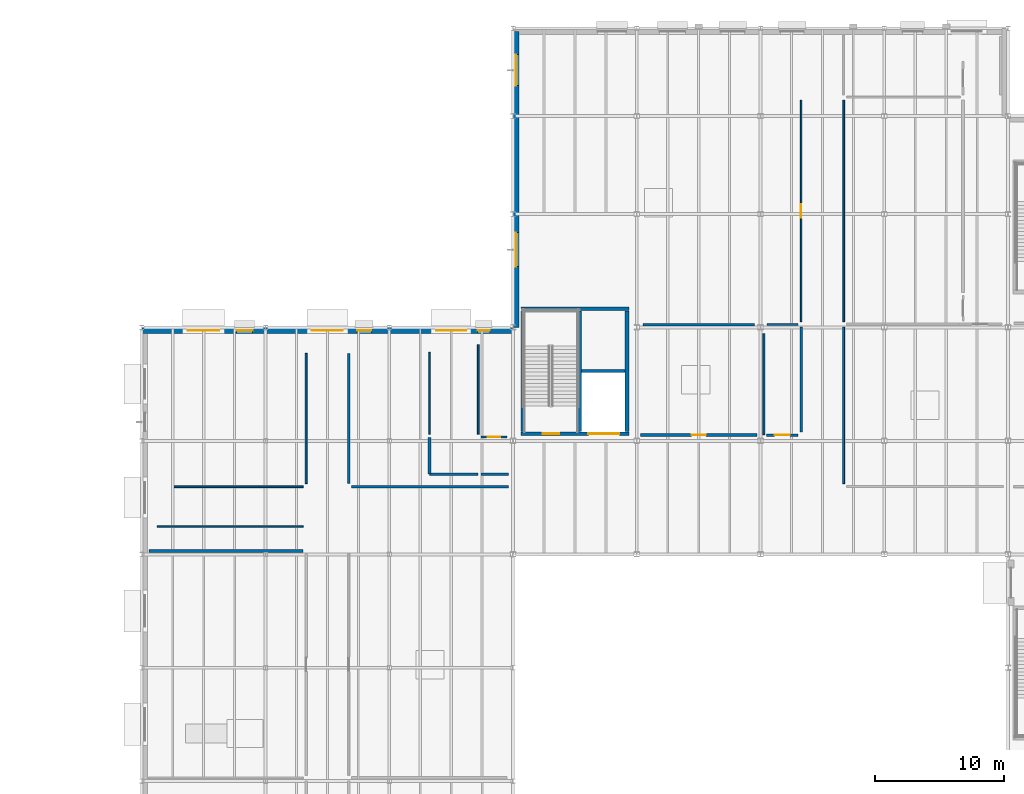
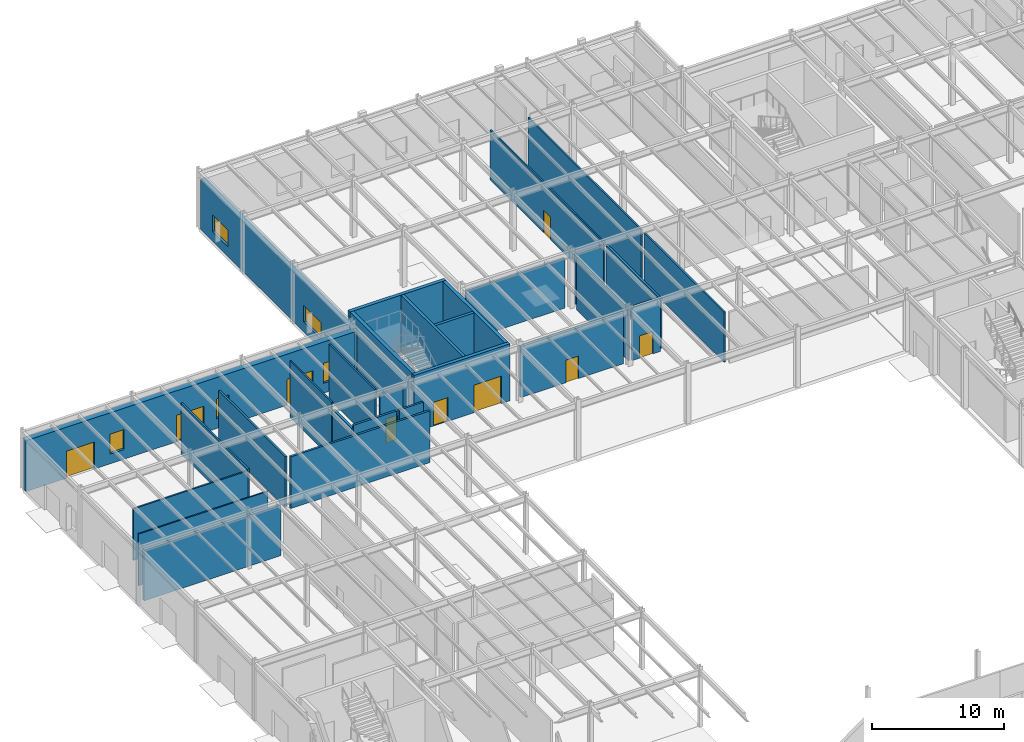
# One storey, part 49 of 70: 29 walls, 9 doors, 5 windows, 14 openings.
"""IFC4 building model written with IfcOpenShell, lengths in metres."""

from ifc_helpers import new_model, si_unit, direction, frame, frame_2d, origin, place, context, subcontext, project, spatial, rectangle, extrude, material, layer, layer_set, type_object, element, fill, save


model = new_model("IFC4")

# Units and contexts
model_context = context("Model", 3, precision=1e-05, world=origin(), true_north=direction((0.0, 1.0)))
body_context = subcontext(model_context, "Body", "Model", "MODEL_VIEW")
ifc_project = project(units=[si_unit("LENGTHUNIT", "METRE"), si_unit("AREAUNIT", "SQUARE_METRE"), si_unit("VOLUMEUNIT", "CUBIC_METRE"), si_unit("PLANEANGLEUNIT", "RADIAN"), si_unit("MASSUNIT", "GRAM", prefix="KILO")], contexts=[model_context])

# Site, building, storey
site_placement = place(None, origin())
site = spatial("IfcSite", under=ifc_project, at=site_placement, CompositionType="ELEMENT")
building_placement = place(site_placement, origin())
building = spatial("IfcBuilding", under=site, at=building_placement, Name="Sarnbrook Museum", CompositionType="ELEMENT")
storey_placement = place(building_placement, origin())
storey = spatial("IfcBuildingStorey", under=building, at=storey_placement, Name="L00", CompositionType="ELEMENT", Elevation=0.0)

# Wall, openings, doors
ifc_material_1 = material(Name="Concrete N50 (AS 3600, f'c = 50 MPa)", Category="concrete")
ifc_layer_1 = layer(ifc_material_1, 0.300048828125)
ifc_layer_set_1 = layer_set([ifc_layer_1], Name="Concrete N50 (AS 3600, f'c = 50 MPa)")
wall_type_1 = type_object("IfcWallType", Name="CoreWall_CWRC", PredefinedType="SHEAR", material=ifc_layer_set_1)
wall_1_placement = place(storey_placement, frame((43.0, 83.75, 0.0), z_axis=(0.0, 0.0, 1.0), x_axis=(1.0, 0.0, 0.0)))
wall_1 = element("IfcWall", 1, at=wall_1_placement, inside=storey, type_object=wall_type_1, Name="Core C6 Shear Wall S L00", PredefinedType="SHEAR", context=body_context, shape_type="SweptSolid", body=[
    extrude(rectangle(XDim=8.39990234375, YDim=0.300048828125, at=frame_2d((4.199951171875, 0.0))), origin(), (0.0, 0.0, 1.0), 5.27490234375),
])
opening_1_placement = place(wall_1_placement, frame((1.715087890625, 0.0, 0.0)))
opening_1 = element("IfcOpeningElement", 2, at=opening_1_placement, cuts=wall_1, Name="Opening D-ST-ST6-L00", PredefinedType="OPENING", context=body_context, shape_type="SweptSolid", body=[
    extrude(rectangle(XDim=1.25, YDim=2.199951171875, at=frame_2d((0.625, 1.10009765625))), frame((0.0, 0.16015625, 0.0), z_axis=(0.0, -1.0, 0.0), x_axis=(1.0, 0.0, 0.0)), (0.0, 0.0, 1.0), 0.320068359375),
])
opening_2_placement = place(wall_1_placement, frame((5.25, 0.0, 0.0)))
opening_2 = element("IfcOpeningElement", 3, at=opening_2_placement, cuts=wall_1, Name="Opening LD-GL2-L00", PredefinedType="OPENING", context=body_context, shape_type="SweptSolid", body=[
    extrude(rectangle(XDim=2.39990234375, YDim=2.550048828125, at=frame_2d((1.199951171875, 1.27490234375))), frame((0.0, 0.16015625, 0.0), z_axis=(0.0, -1.0, 0.0), x_axis=(1.0, 0.0, 0.0)), (0.0, 0.0, 1.0), 0.320068359375),
])
ifc_material_2 = material(Name="Tasmanian Oak Acoustic Timber", Category="wood")
door_type_1 = type_object("IfcDoorType", Name="FireDoor_FD120", OperationType="NOTDEFINED", PredefinedType="DOOR", material=ifc_material_2)
door_1_placement = place(opening_1_placement, frame((1.25, 0.0, 0.0), z_axis=(0.0, 0.0, 1.0), x_axis=(-1.0, 0.0, 0.0)))
door_1 = element("IfcDoor", 4, at=door_1_placement, inside=storey, type_object=door_type_1, Name="Exit Stair ST6 Fire Door L00", OperationType="SINGLE_SWING_RIGHT", OverallHeight=2.199951171875, OverallWidth=1.25, PredefinedType="DOOR", context=body_context, shape_type="SweptSolid", body=[
    extrude(rectangle(XDim=1.25, YDim=2.199951171875, at=frame_2d((0.625, 1.10009765625))), frame((0.0, 0.02490234375, 0.0), z_axis=(0.0, -1.0, 0.0), x_axis=(1.0, 0.0, 0.0)), (0.0, 0.0, 1.0), 0.050048828125),
])
fill(opening_1, door_1)
ifc_material_3 = material(Name="Brushed Stainless Steel Grade 316", Category="steel")
door_type_2 = type_object("IfcDoorType", Name="LiftDoor_Goods240", OperationType="DOUBLE_DOOR_SLIDING", PredefinedType="DOOR", material=ifc_material_3)
door_2_placement = place(opening_2_placement, origin())
door_2 = element("IfcDoor", 5, at=door_2_placement, inside=storey, type_object=door_type_2, Name="Lift Landing Sliding Door LD-GL2-L00", OperationType="DOUBLE_DOOR_SLIDING", OverallHeight=2.550048828125, OverallWidth=2.39990234375, PredefinedType="DOOR", context=body_context, shape_type="SweptSolid", body=[
    extrude(rectangle(XDim=2.39990234375, YDim=2.550048828125, at=frame_2d((1.199951171875, 1.27490234375))), frame((0.0, 0.02490234375, 0.0), z_axis=(0.0, -1.0, 0.0), x_axis=(1.0, 0.0, 0.0)), (0.0, 0.0, 1.0), 0.050048828125),
])
fill(opening_2, door_2)

# Walls
wall_2_placement = place(storey_placement, frame((51.39990234375, 93.449951171875, 0.0), z_axis=(0.0, 0.0, 1.0), x_axis=(-1.0, 0.0, 0.0)))
element("IfcWall", 6, at=wall_2_placement, inside=storey, type_object=wall_type_1, Name="Core C6 Shear Wall N L00", PredefinedType="SHEAR", context=body_context, shape_type="SweptSolid", body=[
    extrude(rectangle(XDim=8.39990234375, YDim=0.300048828125, at=frame_2d((4.199951171875, 0.0))), origin(), (0.0, 0.0, 1.0), 5.27490234375),
])
for number, where, z_axis, x_axis, name in (
    (7, (51.25, 83.909912109375, 0.0), (0.0, 0.0, 1.0), (0.0, 1.0, 0.0), "Core C6 Shear Wall E L00"),
    (8, (43.14990234375, 93.2900390625, 0.0), (0.0, 0.0, 1.0), (0.0, -1.0, 0.0), "Core C6 Shear Wall W L00"),
):
    element("IfcWall", number, at=place(storey_placement, frame(where, z_axis=z_axis, x_axis=x_axis)), inside=storey, type_object=wall_type_1, Name=name, PredefinedType="SHEAR", context=body_context, shape_type="SweptSolid", body=[
        extrude(rectangle(XDim=9.380126953125, YDim=0.300048828125, at=frame_2d((4.68994140625, 0.0))), origin(), (0.0, 0.0, 1.0), 5.27490234375),
    ])
ifc_material_4 = material(Name="Fire-Rated Acoustic Gypsum Plasterboard")
ifc_layer_2 = layer(ifc_material_4, 0.1201171875)
ifc_layer_set_2 = layer_set([ifc_layer_2], Name="Fire-Rated Acoustic Gypsum Plasterboard")
wall_type_2 = type_object("IfcWallType", Name="PartWall_P120", PredefinedType="PARTITIONING", material=ifc_layer_set_2)
wall_3_placement = place(storey_placement, frame((35.909912109375, 90.068115234375, 0.0), z_axis=(0.0, 0.0, 1.0), x_axis=(0.0, -1.0, 0.0)))
element("IfcWall", 9, at=wall_3_placement, inside=storey, type_object=wall_type_2, Name="Interior Partition Wall L00-0160", PredefinedType="PARTITIONING", context=body_context, shape_type="SweptSolid", body=[
    extrude(rectangle(XDim=6.34814453125, YDim=0.1201171875, at=frame_2d((3.174072265625, 0.0))), origin(), (0.0, 0.0, 1.0), 5.22998046875),
])
wall_4_placement = place(storey_placement, frame((14.787841796875, 76.550048828125, 0.0), z_axis=(0.0, 0.0, 1.0), x_axis=(1.0, 0.0, 0.0)))
element("IfcWall", 10, at=wall_4_placement, inside=storey, type_object=wall_type_2, Name="Interior Partition Wall L00-0251", PredefinedType="PARTITIONING", context=body_context, shape_type="SweptSolid", body=[
    extrude(rectangle(XDim=11.332275390625, YDim=0.1201171875, at=frame_2d((5.666015625, 0.0))), origin(), (0.0, 0.0, 1.0), 4.787109375),
])

# Wall, opening, door
wall_5_placement = place(storey_placement, frame((64.75, 109.6298828125, 0.0), z_axis=(0.0, 0.0, 1.0), x_axis=(0.0, -1.0, 0.0)))
wall_5 = element("IfcWall", 11, at=wall_5_placement, inside=storey, type_object=wall_type_2, Name="Interior Partition Wall L00-0258", PredefinedType="PARTITIONING", context=body_context, shape_type="SweptSolid", body=[
    extrude(rectangle(XDim=17.179931640625, YDim=0.1201171875, at=frame_2d((8.58984375, 0.0))), origin(), (0.0, 0.0, 1.0), 4.637939453125),
])
opening_3_placement = place(wall_5_placement, frame((8.070068359375, 0.0, 0.0)))
opening_3 = element("IfcOpeningElement", 12, at=opening_3_placement, cuts=wall_5, Name="Opening D-L00-080", PredefinedType="OPENING", context=body_context, shape_type="SweptSolid", body=[
    extrude(rectangle(XDim=1.0400390625, YDim=2.080078125, at=frame_2d((0.52001953125, 1.0400390625))), frame((0.0, 0.070068359375, 0.0), z_axis=(0.0, -1.0, 0.0), x_axis=(1.0, 0.0, 0.0)), (0.0, 0.0, 1.0), 0.14013671875),
])
door_type_3 = type_object("IfcDoorType", Name="IntDoor_DT04", OperationType="NOTDEFINED", PredefinedType="DOOR", material=ifc_material_2)
door_3_placement = place(opening_3_placement, origin())
door_3 = element("IfcDoor", 13, at=door_3_placement, inside=storey, type_object=door_type_3, Name="Earth & Tectonics Gallery L00-29 Door D-L00-080", OperationType="SINGLE_SWING_RIGHT", OverallHeight=2.080078125, OverallWidth=1.0400390625, PredefinedType="DOOR", context=body_context, shape_type="SweptSolid", body=[
    extrude(rectangle(XDim=1.0400390625, YDim=2.080078125, at=frame_2d((0.52001953125, 1.0400390625))), frame((0.0, 0.02490234375, 0.0), z_axis=(0.0, -1.0, 0.0), x_axis=(1.0, 0.0, 0.0)), (0.0, 0.0, 1.0), 0.050048828125),
])
fill(opening_3, door_3)

# Walls
ifc_layer_3 = layer(ifc_material_4, 0.135009765625)
ifc_layer_set_3 = layer_set([ifc_layer_3], Name="Fire-Rated Acoustic Gypsum Plasterboard")
wall_type_3 = type_object("IfcWallType", Name="PartWall_P135", PredefinedType="PARTITIONING", material=ifc_layer_set_3)
wall_6_placement = place(storey_placement, frame((39.68994140625, 83.719970703125, 0.0), z_axis=(0.0, 0.0, 1.0), x_axis=(0.0, 1.0, 0.0)))
element("IfcWall", 14, at=wall_6_placement, inside=storey, type_object=wall_type_3, Name="Interior Partition Wall L00-0159", PredefinedType="PARTITIONING", context=body_context, shape_type="SweptSolid", body=[
    extrude(rectangle(XDim=6.94091796875, YDim=0.135009765625, at=frame_2d((3.470458984375, 0.0))), origin(), (0.0, 0.0, 1.0), 5.06396484375),
])
wall_7_placement = place(storey_placement, frame((26.1201171875, 79.64990234375, 0.0), z_axis=(0.0, 0.0, 1.0), x_axis=(-1.0, 0.0, 0.0)))
element("IfcWall", 15, at=wall_7_placement, inside=storey, type_object=wall_type_3, Name="Interior Partition Wall L00-0250", PredefinedType="PARTITIONING", context=body_context, shape_type="SweptSolid", body=[
    extrude(rectangle(XDim=10.00927734375, YDim=0.135009765625, at=frame_2d((5.004638671875, 0.0))), origin(), (0.0, 0.0, 1.0), 4.787109375),
])
wall_8_placement = place(storey_placement, frame((68.050048828125, 92.449951171875, 0.0), z_axis=(0.0, 0.0, 1.0), x_axis=(0.0, 1.0, 0.0)))
element("IfcWall", 16, at=wall_8_placement, inside=storey, type_object=wall_type_3, Name="Interior Partition Wall L00-0264", PredefinedType="PARTITIONING", context=body_context, shape_type="SweptSolid", body=[
    extrude(rectangle(XDim=17.179931640625, YDim=0.135009765625, at=frame_2d((8.58984375, 0.0))), origin(), (0.0, 0.0, 1.0), 4.637939453125),
])

# Wall, opening, door
ifc_layer_4 = layer(ifc_material_4, 0.14990234375)
ifc_layer_set_4 = layer_set([ifc_layer_4], Name="Fire-Rated Acoustic Gypsum Plasterboard")
wall_type_4 = type_object("IfcWallType", Name="PartWall_P150", PredefinedType="PARTITIONING", material=ifc_layer_set_4)
wall_9_placement = place(storey_placement, frame((41.919921875, 83.489990234375, 0.0), z_axis=(0.0, 0.0, 1.0), x_axis=(-1.0, 0.0, 0.0)))
wall_9 = element("IfcWall", 17, at=wall_9_placement, inside=storey, type_object=wall_type_4, Name="Interior Partition Wall L00-0158", PredefinedType="PARTITIONING", context=body_context, shape_type="SweptSolid", body=[
    extrude(rectangle(XDim=2.0, YDim=0.14990234375, at=frame_2d((1.0, 0.0))), origin(), (0.0, 0.0, 1.0), 4.7080078125),
])
opening_4_placement = place(wall_9_placement, frame((0.52001953125, 0.0, 0.0)))
opening_4 = element("IfcOpeningElement", 18, at=opening_4_placement, cuts=wall_9, Name="Opening D-L00-052", PredefinedType="OPENING", context=body_context, shape_type="SweptSolid", body=[
    extrude(rectangle(XDim=0.9599609375, YDim=2.239990234375, at=frame_2d((0.47998046875, 1.1201171875))), frame((0.0, 0.0849609375, 0.0), z_axis=(0.0, -1.0, 0.0), x_axis=(1.0, 0.0, 0.0)), (0.0, 0.0, 1.0), 0.169921875),
])
door_type_4 = type_object("IfcDoorType", Name="IntDoor_DT14", OperationType="NOTDEFINED", PredefinedType="DOOR", material=ifc_material_2)
door_4_placement = place(opening_4_placement, frame((0.9599609375, 0.0, 0.0), z_axis=(0.0, 0.0, 1.0), x_axis=(-1.0, 0.0, 0.0)))
door_4 = element("IfcDoor", 19, at=door_4_placement, inside=storey, type_object=door_type_4, Name="Cloakroom & Visitor Services L00-26 Door D-L00-052", OperationType="SINGLE_SWING_RIGHT", OverallHeight=2.239990234375, OverallWidth=0.9599609375, PredefinedType="DOOR", context=body_context, shape_type="SweptSolid", body=[
    extrude(rectangle(XDim=0.9599609375, YDim=2.239990234375, at=frame_2d((0.47998046875, 1.1201171875))), frame((0.0, 0.02490234375, 0.0), z_axis=(0.0, -1.0, 0.0), x_axis=(1.0, 0.0, 0.0)), (0.0, 0.0, 1.0), 0.050048828125),
])
fill(opening_4, door_4)

# Walls
wall_10_placement = place(storey_placement, frame((26.35009765625, 89.982421875, 0.0), z_axis=(0.0, 0.0, 1.0), x_axis=(0.0, -1.0, 0.0)))
element("IfcWall", 20, at=wall_10_placement, inside=storey, type_object=wall_type_4, Name="Interior Partition Wall L00-0249", PredefinedType="PARTITIONING", context=body_context, shape_type="SweptSolid", body=[
    extrude(rectangle(XDim=10.1025390625, YDim=0.14990234375, at=frame_2d((5.05126953125, 0.0))), origin(), (0.0, 0.0, 1.0), 4.7080078125),
])
wall_11_placement = place(storey_placement, frame((68.050048828125, 79.8798828125, 0.0), z_axis=(0.0, 0.0, 1.0), x_axis=(0.0, 1.0, 0.0)))
element("IfcWall", 21, at=wall_11_placement, inside=storey, type_object=wall_type_4, Name="Interior Partition Wall L00-0263", PredefinedType="PARTITIONING", context=body_context, shape_type="SweptSolid", body=[
    extrude(rectangle(XDim=12.150146484375, YDim=0.14990234375, at=frame_2d((6.0751953125, 0.0))), origin(), (0.0, 0.0, 1.0), 4.637939453125),
])
wall_12_placement = place(storey_placement, frame((61.860107421875, 91.52001953125, 0.0), z_axis=(0.0, 0.0, 1.0), x_axis=(0.0, -1.0, 0.0)))
element("IfcWall", 22, at=wall_12_placement, inside=storey, type_object=wall_type_4, Name="Interior Partition Wall L00-0291", PredefinedType="PARTITIONING", context=body_context, shape_type="SweptSolid", body=[
    extrude(rectangle(XDim=7.840087890625, YDim=0.14990234375, at=frame_2d((3.919921875, 0.0))), origin(), (0.0, 0.0, 1.0), 4.717041015625),
])
ifc_layer_5 = layer(ifc_material_4, 0.1650390625)
ifc_layer_set_5 = layer_set([ifc_layer_5], Name="Fire-Rated Acoustic Gypsum Plasterboard")
wall_type_5 = type_object("IfcWallType", Name="PartWall_P165", PredefinedType="PARTITIONING", material=ifc_layer_set_5)
wall_13_placement = place(storey_placement, frame((29.64990234375, 79.8798828125, 0.0), z_axis=(0.0, 0.0, 1.0), x_axis=(0.0, 1.0, 0.0)))
element("IfcWall", 23, at=wall_13_placement, inside=storey, type_object=wall_type_5, Name="Interior Partition Wall L00-0248", PredefinedType="PARTITIONING", context=body_context, shape_type="SweptSolid", body=[
    extrude(rectangle(XDim=10.1025390625, YDim=0.1650390625, at=frame_2d((5.05126953125, 0.0))), origin(), (0.0, 0.0, 1.0), 4.7080078125),
])
wall_14_placement = place(storey_placement, frame((64.52001953125, 92.219970703125, 0.0), z_axis=(0.0, 0.0, 1.0), x_axis=(-1.0, 0.0, 0.0)))
element("IfcWall", 24, at=wall_14_placement, inside=storey, type_object=wall_type_5, Name="Interior Partition Wall L00-0290", PredefinedType="PARTITIONING", context=body_context, shape_type="SweptSolid", body=[
    extrude(rectangle(XDim=2.43994140625, YDim=0.1650390625, at=frame_2d((1.219970703125, 0.0))), origin(), (0.0, 0.0, 1.0), 4.637939453125),
])
ifc_layer_6 = layer(ifc_material_4, 0.179931640625)
ifc_layer_set_6 = layer_set([ifc_layer_6], Name="Fire-Rated Acoustic Gypsum Plasterboard")
wall_type_6 = type_object("IfcWallType", Name="PartWall_P180", PredefinedType="PARTITIONING", material=ifc_layer_set_6)
wall_15_placement = place(storey_placement, frame((39.919921875, 80.610107421875, 0.0), z_axis=(0.0, 0.0, 1.0), x_axis=(1.0, 0.0, 0.0)))
element("IfcWall", 25, at=wall_15_placement, inside=storey, type_object=wall_type_6, Name="Interior Partition Wall L00-0163", PredefinedType="PARTITIONING", context=body_context, shape_type="SweptSolid", body=[
    extrude(rectangle(XDim=2.1201171875, YDim=0.179931640625, at=frame_2d((1.06005859375, 0.0))), origin(), (0.0, 0.0, 1.0), 5.01611328125),
])
wall_16_placement = place(storey_placement, frame((42.0400390625, 79.64990234375, 0.0), z_axis=(0.0, 0.0, 1.0), x_axis=(-1.0, 0.0, 0.0)))
element("IfcWall", 26, at=wall_16_placement, inside=storey, type_object=wall_type_6, Name="Interior Partition Wall L00-0247", PredefinedType="PARTITIONING", context=body_context, shape_type="SweptSolid", body=[
    extrude(rectangle(XDim=12.16015625, YDim=0.179931640625, at=frame_2d((6.080078125, 0.0))), origin(), (0.0, 0.0, 1.0), 4.787109375),
])
wall_17_placement = place(storey_placement, frame((64.75, 92.030029296875, 0.0), z_axis=(0.0, 0.0, 1.0), x_axis=(0.0, -1.0, 0.0)))
element("IfcWall", 27, at=wall_17_placement, inside=storey, type_object=wall_type_6, Name="Interior Partition Wall L00-0261", PredefinedType="PARTITIONING", context=body_context, shape_type="SweptSolid", body=[
    extrude(rectangle(XDim=8.150146484375, YDim=0.179931640625, at=frame_2d((4.0751953125, 0.0))), origin(), (0.0, 0.0, 1.0), 4.637939453125),
])
wall_18_placement = place(storey_placement, frame((61.1201171875, 92.219970703125, 0.0), z_axis=(0.0, 0.0, 1.0), x_axis=(-1.0, 0.0, 0.0)))
element("IfcWall", 28, at=wall_18_placement, inside=storey, type_object=wall_type_6, Name="Interior Partition Wall L00-0289", PredefinedType="PARTITIONING", context=body_context, shape_type="SweptSolid", body=[
    extrude(rectangle(XDim=8.64013671875, YDim=0.179931640625, at=frame_2d((4.320068359375, 0.0))), origin(), (0.0, 0.0, 1.0), 4.637939453125),
])
ifc_layer_7 = layer(ifc_material_4, 0.195068359375)
ifc_layer_set_7 = layer_set([ifc_layer_7], Name="Fire-Rated Acoustic Gypsum Plasterboard")
wall_type_7 = type_object("IfcWallType", Name="PartWall_P195", PredefinedType="PARTITIONING", material=ifc_layer_set_7)
wall_19_placement = place(storey_placement, frame((35.919921875, 80.610107421875, 0.0), z_axis=(0.0, 0.0, 1.0), x_axis=(1.0, 0.0, 0.0)))
element("IfcWall", 29, at=wall_19_placement, inside=storey, type_object=wall_type_7, Name="Interior Partition Wall L00-0162", PredefinedType="PARTITIONING", context=body_context, shape_type="SweptSolid", body=[
    extrude(rectangle(XDim=3.760009765625, YDim=0.195068359375, at=frame_2d((1.8798828125, 0.0))), origin(), (0.0, 0.0, 1.0), 5.01611328125),
])

# Wall, opening, door
wall_20_placement = place(storey_placement, frame((64.52001953125, 83.64990234375, 0.0), z_axis=(0.0, 0.0, 1.0), x_axis=(-1.0, 0.0, 0.0)))
wall_20 = element("IfcWall", 30, at=wall_20_placement, inside=storey, type_object=wall_type_7, Name="Interior Partition Wall L00-0260", PredefinedType="PARTITIONING", context=body_context, shape_type="SweptSolid", body=[
    extrude(rectangle(XDim=2.469970703125, YDim=0.195068359375, at=frame_2d((1.23486328125, 0.0))), origin(), (0.0, 0.0, 1.0), 4.943115234375),
])
opening_5_placement = place(wall_20_placement, frame((0.64501953125, 0.0, 0.0)))
opening_5 = element("IfcOpeningElement", 31, at=opening_5_placement, cuts=wall_20, Name="Opening D-L00-082", PredefinedType="OPENING", context=body_context, shape_type="SweptSolid", body=[
    extrude(rectangle(XDim=1.179931640625, YDim=2.080078125, at=frame_2d((0.58984375, 1.0400390625))), frame((0.0, 0.107421875, 0.0), z_axis=(0.0, -1.0, 0.0), x_axis=(1.0, 0.0, 0.0)), (0.0, 0.0, 1.0), 0.215087890625),
])
door_type_5 = type_object("IfcDoorType", Name="IntDoor_DT06", OperationType="NOTDEFINED", PredefinedType="DOOR", material=ifc_material_2)
door_5_placement = place(opening_5_placement, origin())
door_5 = element("IfcDoor", 32, at=door_5_placement, inside=storey, type_object=door_type_5, Name="Main Raked Lecture Auditorium L00-31 Door D-L00-082", OperationType="SINGLE_SWING_RIGHT", OverallHeight=2.080078125, OverallWidth=1.179931640625, PredefinedType="DOOR", context=body_context, shape_type="SweptSolid", body=[
    extrude(rectangle(XDim=1.179931640625, YDim=2.080078125, at=frame_2d((0.58984375, 1.0400390625))), frame((0.0, 0.02490234375, 0.0), z_axis=(0.0, -1.0, 0.0), x_axis=(1.0, 0.0, 0.0)), (0.0, 0.0, 1.0), 0.050048828125),
])
fill(opening_5, door_5)

# Wall
ifc_layer_8 = layer(ifc_material_4, 0.2099609375)
ifc_layer_set_8 = layer_set([ifc_layer_8], Name="Fire-Rated Acoustic Gypsum Plasterboard")
wall_type_8 = type_object("IfcWallType", Name="PartWall_P210", PredefinedType="PARTITIONING", material=ifc_layer_set_8)
wall_21_placement = place(storey_placement, frame((35.909912109375, 83.47998046875, 0.0), z_axis=(0.0, 0.0, 1.0), x_axis=(0.0, -1.0, 0.0)))
element("IfcWall", 33, at=wall_21_placement, inside=storey, type_object=wall_type_8, Name="Interior Partition Wall L00-0161", PredefinedType="PARTITIONING", context=body_context, shape_type="SweptSolid", body=[
    extrude(rectangle(XDim=2.85986328125, YDim=0.2099609375, at=frame_2d((1.429931640625, 0.0))), origin(), (0.0, 0.0, 1.0), 4.7080078125),
])

# Wall, opening, door
wall_22_placement = place(storey_placement, frame((61.315185546875, 83.64990234375, 0.0), z_axis=(0.0, 0.0, 1.0), x_axis=(-1.0, 0.0, 0.0)))
wall_22 = element("IfcWall", 34, at=wall_22_placement, inside=storey, type_object=wall_type_8, Name="Interior Partition Wall L00-0259", PredefinedType="PARTITIONING", context=body_context, shape_type="SweptSolid", body=[
    extrude(rectangle(XDim=9.030517578125, YDim=0.2099609375, at=frame_2d((4.51513671875, 0.0))), origin(), (0.0, 0.0, 1.0), 4.717041015625),
])
opening_6_placement = place(wall_22_placement, frame((3.96533203125, 0.0, 0.0)))
opening_6 = element("IfcOpeningElement", 35, at=opening_6_placement, cuts=wall_22, Name="Opening D-L00-081", PredefinedType="OPENING", context=body_context, shape_type="SweptSolid", body=[
    extrude(rectangle(XDim=1.10009765625, YDim=2.080078125, at=frame_2d((0.550048828125, 1.0400390625))), frame((0.0, 0.114990234375, 0.0), z_axis=(0.0, -1.0, 0.0), x_axis=(1.0, 0.0, 0.0)), (0.0, 0.0, 1.0), 0.22998046875),
])
door_type_6 = type_object("IfcDoorType", Name="IntDoor_DT05", OperationType="NOTDEFINED", PredefinedType="DOOR", material=ifc_material_2)
door_6_placement = place(opening_6_placement, origin())
door_6 = element("IfcDoor", 36, at=door_6_placement, inside=storey, type_object=door_type_6, Name="Grand North-Light Atrium Foyer L00-30 Door D-L00-081", OperationType="SINGLE_SWING_LEFT", OverallHeight=2.080078125, OverallWidth=1.10009765625, PredefinedType="DOOR", context=body_context, shape_type="SweptSolid", body=[
    extrude(rectangle(XDim=1.10009765625, YDim=2.080078125, at=frame_2d((0.550048828125, 1.0400390625))), frame((0.0, 0.02490234375, 0.0), z_axis=(0.0, -1.0, 0.0), x_axis=(1.0, 0.0, 0.0)), (0.0, 0.0, 1.0), 0.050048828125),
])
fill(opening_6, door_6)

# Walls
wall_23_placement = place(storey_placement, frame((14.139892578125, 74.659912109375, 0.0), z_axis=(0.0, 0.0, 1.0), x_axis=(1.0, 0.0, 0.0)))
element("IfcWall", 37, at=wall_23_placement, inside=storey, type_object=wall_type_8, Name="Interior Partition Wall L00-0287", PredefinedType="PARTITIONING", context=body_context, shape_type="SweptSolid", body=[
    extrude(rectangle(XDim=11.980224609375, YDim=0.2099609375, at=frame_2d((5.990234375, 0.0))), origin(), (0.0, 0.0, 1.0), 4.7080078125),
])
ifc_material_5 = material(Name="Concrete N40 (AS 3600, f'c = 40 MPa)", Category="concrete")
ifc_layer_9 = layer(ifc_material_5, 0.239990234375)
ifc_layer_set_9 = layer_set([ifc_layer_9], Name="Concrete N40 (AS 3600, f'c = 40 MPa)")
wall_type_9 = type_object("IfcWallType", Name="ShaftWall_SWRC", PredefinedType="SOLIDWALL", material=ifc_layer_set_9)
wall_24_placement = place(storey_placement, frame((47.570068359375, 83.909912109375, 0.0), z_axis=(0.0, 0.0, 1.0), x_axis=(0.0, 1.0, 0.0)))
element("IfcWall", 38, at=wall_24_placement, inside=storey, type_object=wall_type_9, Name="Stairwell ST6 Fire Shaft Wall L00", PredefinedType="SOLIDWALL", context=body_context, shape_type="SweptSolid", body=[
    extrude(rectangle(XDim=9.380126953125, YDim=0.239990234375, at=frame_2d((4.68994140625, 0.0))), origin(), (0.0, 0.0, 1.0), 5.27490234375),
])
wall_25_placement = place(storey_placement, frame((47.699951171875, 88.6201171875, 0.0), z_axis=(0.0, 0.0, 1.0), x_axis=(1.0, 0.0, 0.0)))
element("IfcWall", 39, at=wall_25_placement, inside=storey, type_object=wall_type_9, Name="Lift GL2 Shaft Rear Wall L00", PredefinedType="SOLIDWALL", context=body_context, shape_type="SweptSolid", body=[
    extrude(rectangle(XDim=3.39013671875, YDim=0.239990234375, at=frame_2d((1.695068359375, 0.0))), origin(), (0.0, 0.0, 1.0), 5.27490234375),
])

# Wall, openings, windows
ifc_material_6 = material(Name="Barrabool Sandstone Ashlar Cladding", Category="masonry")
ifc_layer_10 = layer(ifc_material_6, 0.4599609375)
ifc_layer_set_10 = layer_set([ifc_layer_10], Name="Barrabool Sandstone Ashlar Cladding")
wall_type_10 = type_object("IfcWallType", Name="Wall_SandstoneExt460", PredefinedType="SOLIDWALL", material=ifc_layer_set_10)
wall_26_placement = place(storey_placement, frame((42.6298828125, 114.964111328125, 0.0), z_axis=(0.0, 0.0, 1.0), x_axis=(0.0, -1.0, 0.0)))
wall_26 = element("IfcWall", 40, at=wall_26_placement, inside=storey, type_object=wall_type_10, Name="Classical Sandstone Facade Wall L00-09", PredefinedType="SOLIDWALL", context=body_context, shape_type="SweptSolid", body=[
    extrude(rectangle(XDim=22.964111328125, YDim=0.4599609375, at=frame_2d((11.48193359375, 0.0))), origin(), (0.0, 0.0, 1.0), 4.653076171875),
])
opening_7_placement = place(wall_26_placement, frame((1.800048828125, 0.0, 0.89990234375)))
opening_7 = element("IfcOpeningElement", 41, at=opening_7_placement, cuts=wall_26, Name="Opening WT-10", PredefinedType="OPENING", context=body_context, shape_type="SweptSolid", body=[
    extrude(rectangle(XDim=2.39990234375, YDim=1.550048828125, at=frame_2d((1.199951171875, 0.77490234375))), frame((0.0, 0.239990234375, 0.0), z_axis=(0.0, -1.0, 0.0), x_axis=(1.0, 0.0, 0.0)), (0.0, 0.0, 1.0), 0.47998046875),
])
opening_8_placement = place(wall_26_placement, frame((15.60009765625, 0.0, 0.89990234375)))
opening_8 = element("IfcOpeningElement", 42, at=opening_8_placement, cuts=wall_26, Name="Opening WT-11", PredefinedType="OPENING", context=body_context, shape_type="SweptSolid", body=[
    extrude(rectangle(XDim=2.64990234375, YDim=1.550048828125, at=frame_2d((1.324951171875, 0.77490234375))), frame((0.0, 0.239990234375, 0.0), z_axis=(0.0, -1.0, 0.0), x_axis=(1.0, 0.0, 0.0)), (0.0, 0.0, 1.0), 0.47998046875),
])
ifc_material_7 = material(Name="Double-Glazed Low-Iron Laminated Safety Glass", Category="glass")
window_type_1 = type_object("IfcWindowType", Name="Window_Classical_WT10", PartitioningType="SINGLE_PANEL", PredefinedType="WINDOW", material=ifc_material_7)
window_1_placement = place(opening_7_placement, origin())
window_1 = element("IfcWindow", 43, at=window_1_placement, inside=storey, type_object=window_type_1, Name="Classical Bronze Casement Window WIN:L00:0010", OverallHeight=1.550048828125, OverallWidth=2.39990234375, PartitioningType="SINGLE_PANEL", PredefinedType="WINDOW", context=body_context, shape_type="SweptSolid", body=[
    extrude(rectangle(XDim=2.39990234375, YDim=1.550048828125, at=frame_2d((1.199951171875, 0.77490234375))), frame((0.0, 0.030029296875, 0.0), z_axis=(0.0, -1.0, 0.0), x_axis=(1.0, 0.0, 0.0)), (0.0, 0.0, 1.0), 0.06005859375),
])
fill(opening_7, window_1)
window_type_2 = type_object("IfcWindowType", Name="Window_Classical_WT11", PartitioningType="SINGLE_PANEL", PredefinedType="WINDOW", material=ifc_material_7)
window_2_placement = place(opening_8_placement, origin())
window_2 = element("IfcWindow", 44, at=window_2_placement, inside=storey, type_object=window_type_2, Name="Classical Bronze Casement Window WIN:L00:0011", OverallHeight=1.550048828125, OverallWidth=2.64990234375, PartitioningType="SINGLE_PANEL", PredefinedType="WINDOW", context=body_context, shape_type="SweptSolid", body=[
    extrude(rectangle(XDim=2.64990234375, YDim=1.550048828125, at=frame_2d((1.324951171875, 0.77490234375))), frame((0.0, 0.030029296875, 0.0), z_axis=(0.0, -1.0, 0.0), x_axis=(1.0, 0.0, 0.0)), (0.0, 0.0, 1.0), 0.06005859375),
])
fill(opening_8, window_2)

# Wall, openings, doors, windows
wall_27_placement = place(storey_placement, frame((42.39990234375, 91.77001953125, 0.0), z_axis=(0.0, 0.0, 1.0), x_axis=(-1.0, 0.0, 0.0)))
wall_27 = element("IfcWall", 45, at=wall_27_placement, inside=storey, type_object=wall_type_10, Name="Classical Sandstone Facade Wall L00-10", PredefinedType="SOLIDWALL", context=body_context, shape_type="SweptSolid", body=[
    extrude(rectangle(XDim=28.7998046875, YDim=0.4599609375, at=frame_2d((14.39990234375, 0.0))), origin(), (0.0, 0.0, 1.0), 4.722900390625),
])
opening_9_placement = place(wall_27_placement, frame((22.77490234375, 0.0, 0.0)))
opening_9 = element("IfcOpeningElement", 46, at=opening_9_placement, cuts=wall_27, Name="Opening ED21", PredefinedType="OPENING", context=body_context, shape_type="SweptSolid", body=[
    extrude(rectangle(XDim=2.449951171875, YDim=2.5, at=frame_2d((1.22509765625, 1.25))), frame((0.0, 0.239990234375, 0.0), z_axis=(0.0, -1.0, 0.0), x_axis=(1.0, 0.0, 0.0)), (0.0, 0.0, 1.0), 0.47998046875),
])
opening_10_placement = place(wall_27_placement, frame((13.199951171875, 0.0, 0.0)))
opening_10 = element("IfcOpeningElement", 47, at=opening_10_placement, cuts=wall_27, Name="Opening ED22", PredefinedType="OPENING", context=body_context, shape_type="SweptSolid", body=[
    extrude(rectangle(XDim=2.39990234375, YDim=2.449951171875, at=frame_2d((1.199951171875, 1.22509765625))), frame((0.0, 0.239990234375, 0.0), z_axis=(0.0, -1.0, 0.0), x_axis=(1.0, 0.0, 0.0)), (0.0, 0.0, 1.0), 0.47998046875),
])
opening_11_placement = place(wall_27_placement, frame((3.64990234375, 0.0, 0.0)))
opening_11 = element("IfcOpeningElement", 48, at=opening_11_placement, cuts=wall_27, Name="Opening ED23", PredefinedType="OPENING", context=body_context, shape_type="SweptSolid", body=[
    extrude(rectangle(XDim=2.300048828125, YDim=2.39990234375, at=frame_2d((1.14990234375, 1.199951171875))), frame((0.0, 0.239990234375, 0.0), z_axis=(0.0, -1.0, 0.0), x_axis=(1.0, 0.0, 0.0)), (0.0, 0.0, 1.0), 0.47998046875),
])
opening_12_placement = place(wall_27_placement, frame((1.800048828125, 0.0, 0.89990234375)))
opening_12 = element("IfcOpeningElement", 49, at=opening_12_placement, cuts=wall_27, Name="Opening WT-12", PredefinedType="OPENING", context=body_context, shape_type="SweptSolid", body=[
    extrude(rectangle(XDim=0.949951171875, YDim=1.85009765625, at=frame_2d((0.47509765625, 0.925048828125))), frame((0.0, 0.239990234375, 0.0), z_axis=(0.0, -1.0, 0.0), x_axis=(1.0, 0.0, 0.0)), (0.0, 0.0, 1.0), 0.47998046875),
])
opening_13_placement = place(wall_27_placement, frame((11.0, 0.0, 0.89990234375)))
opening_13 = element("IfcOpeningElement", 50, at=opening_13_placement, cuts=wall_27, Name="Opening WT-13", PredefinedType="OPENING", context=body_context, shape_type="SweptSolid", body=[
    extrude(rectangle(XDim=1.10009765625, YDim=1.85009765625, at=frame_2d((0.550048828125, 0.925048828125))), frame((0.0, 0.239990234375, 0.0), z_axis=(0.0, -1.0, 0.0), x_axis=(1.0, 0.0, 0.0)), (0.0, 0.0, 1.0), 0.47998046875),
])
opening_14_placement = place(wall_27_placement, frame((20.199951171875, 0.0, 0.89990234375)))
opening_14 = element("IfcOpeningElement", 51, at=opening_14_placement, cuts=wall_27, Name="Opening WT-14", PredefinedType="OPENING", context=body_context, shape_type="SweptSolid", body=[
    extrude(rectangle(XDim=1.25, YDim=1.85009765625, at=frame_2d((0.625, 0.925048828125))), frame((0.0, 0.239990234375, 0.0), z_axis=(0.0, -1.0, 0.0), x_axis=(1.0, 0.0, 0.0)), (0.0, 0.0, 1.0), 0.47998046875),
])
ifc_material_8 = material(Name="Thermally Broken Anodised Aluminium 6063-T6", Category="aluminium")
door_type_7 = type_object("IfcDoorType", Name="DoorType_EDT1", OperationType="DOUBLE_DOOR_SINGLE_SWING", PredefinedType="DOOR", material=ifc_material_8)
door_7_placement = place(opening_9_placement, frame((2.449951171875, 0.0, 0.0), z_axis=(0.0, 0.0, 1.0), x_axis=(-1.0, 0.0, 0.0)))
door_7 = element("IfcDoor", 52, at=door_7_placement, inside=storey, type_object=door_type_7, Name="North West Court Pedestrian Exit Door ED21", OperationType="DOUBLE_DOOR_SINGLE_SWING", OverallHeight=2.5, OverallWidth=2.449951171875, PredefinedType="DOOR", context=body_context, shape_type="SweptSolid", body=[
    extrude(rectangle(XDim=2.449951171875, YDim=2.5, at=frame_2d((1.22509765625, 1.25))), frame((0.0, 0.02490234375, 0.0), z_axis=(0.0, -1.0, 0.0), x_axis=(1.0, 0.0, 0.0)), (0.0, 0.0, 1.0), 0.050048828125),
])
fill(opening_9, door_7)
door_type_8 = type_object("IfcDoorType", Name="DoorType_EDT2", OperationType="DOUBLE_DOOR_SINGLE_SWING", PredefinedType="DOOR", material=ifc_material_8)
door_8_placement = place(opening_10_placement, frame((2.39990234375, 0.0, 0.0), z_axis=(0.0, 0.0, 1.0), x_axis=(-1.0, 0.0, 0.0)))
door_8 = element("IfcDoor", 53, at=door_8_placement, inside=storey, type_object=door_type_8, Name="North West Court Pedestrian Exit Door ED22", OperationType="DOUBLE_DOOR_SINGLE_SWING", OverallHeight=2.449951171875, OverallWidth=2.39990234375, PredefinedType="DOOR", context=body_context, shape_type="SweptSolid", body=[
    extrude(rectangle(XDim=2.39990234375, YDim=2.449951171875, at=frame_2d((1.199951171875, 1.22509765625))), frame((0.0, 0.02490234375, 0.0), z_axis=(0.0, -1.0, 0.0), x_axis=(1.0, 0.0, 0.0)), (0.0, 0.0, 1.0), 0.050048828125),
])
fill(opening_10, door_8)
door_type_9 = type_object("IfcDoorType", Name="DoorType_EDT3", OperationType="DOUBLE_DOOR_SINGLE_SWING", PredefinedType="DOOR", material=ifc_material_3)
door_9_placement = place(opening_11_placement, frame((2.300048828125, 0.0, 0.0), z_axis=(0.0, 0.0, 1.0), x_axis=(-1.0, 0.0, 0.0)))
door_9 = element("IfcDoor", 54, at=door_9_placement, inside=storey, type_object=door_type_9, Name="North West Court Pedestrian Exit Door ED23", OperationType="DOUBLE_DOOR_SINGLE_SWING", OverallHeight=2.39990234375, OverallWidth=2.300048828125, PredefinedType="DOOR", context=body_context, shape_type="SweptSolid", body=[
    extrude(rectangle(XDim=2.300048828125, YDim=2.39990234375, at=frame_2d((1.14990234375, 1.199951171875))), frame((0.0, 0.02490234375, 0.0), z_axis=(0.0, -1.0, 0.0), x_axis=(1.0, 0.0, 0.0)), (0.0, 0.0, 1.0), 0.050048828125),
])
fill(opening_11, door_9)
window_type_3 = type_object("IfcWindowType", Name="Window_Classical_WT12", PartitioningType="SINGLE_PANEL", PredefinedType="WINDOW", material=ifc_material_7)
window_3_placement = place(opening_12_placement, origin())
window_3 = element("IfcWindow", 55, at=window_3_placement, inside=storey, type_object=window_type_3, Name="Classical Bronze Casement Window WIN:L00:0012", OverallHeight=1.85009765625, OverallWidth=0.949951171875, PartitioningType="SINGLE_PANEL", PredefinedType="WINDOW", context=body_context, shape_type="SweptSolid", body=[
    extrude(rectangle(XDim=0.949951171875, YDim=1.85009765625, at=frame_2d((0.47509765625, 0.925048828125))), frame((0.0, 0.030029296875, 0.0), z_axis=(0.0, -1.0, 0.0), x_axis=(1.0, 0.0, 0.0)), (0.0, 0.0, 1.0), 0.06005859375),
])
fill(opening_12, window_3)
window_type_4 = type_object("IfcWindowType", Name="Window_Classical_WT13", PartitioningType="SINGLE_PANEL", PredefinedType="WINDOW", material=ifc_material_7)
window_4_placement = place(opening_13_placement, origin())
window_4 = element("IfcWindow", 56, at=window_4_placement, inside=storey, type_object=window_type_4, Name="Classical Bronze Casement Window WIN:L00:0013", OverallHeight=1.85009765625, OverallWidth=1.10009765625, PartitioningType="SINGLE_PANEL", PredefinedType="WINDOW", context=body_context, shape_type="SweptSolid", body=[
    extrude(rectangle(XDim=1.10009765625, YDim=1.85009765625, at=frame_2d((0.550048828125, 0.925048828125))), frame((0.0, 0.030029296875, 0.0), z_axis=(0.0, -1.0, 0.0), x_axis=(1.0, 0.0, 0.0)), (0.0, 0.0, 1.0), 0.06005859375),
])
fill(opening_13, window_4)
window_type_5 = type_object("IfcWindowType", Name="Window_Classical_WT14", PartitioningType="SINGLE_PANEL", PredefinedType="WINDOW", material=ifc_material_7)
window_5_placement = place(opening_14_placement, origin())
window_5 = element("IfcWindow", 57, at=window_5_placement, inside=storey, type_object=window_type_5, Name="Classical Bronze Casement Window WIN:L00:0014", OverallHeight=1.85009765625, OverallWidth=1.25, PartitioningType="SINGLE_PANEL", PredefinedType="WINDOW", context=body_context, shape_type="SweptSolid", body=[
    extrude(rectangle(XDim=1.25, YDim=1.85009765625, at=frame_2d((0.625, 0.925048828125))), frame((0.0, 0.030029296875, 0.0), z_axis=(0.0, -1.0, 0.0), x_axis=(1.0, 0.0, 0.0)), (0.0, 0.0, 1.0), 0.06005859375),
])
fill(opening_14, window_5)

save(model, "model.ifc")
